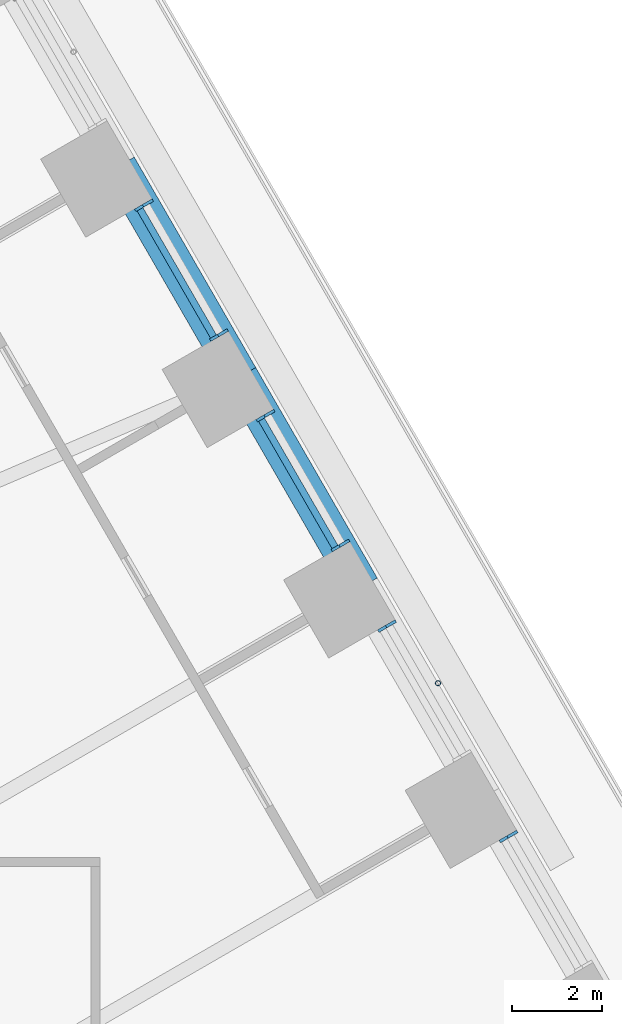
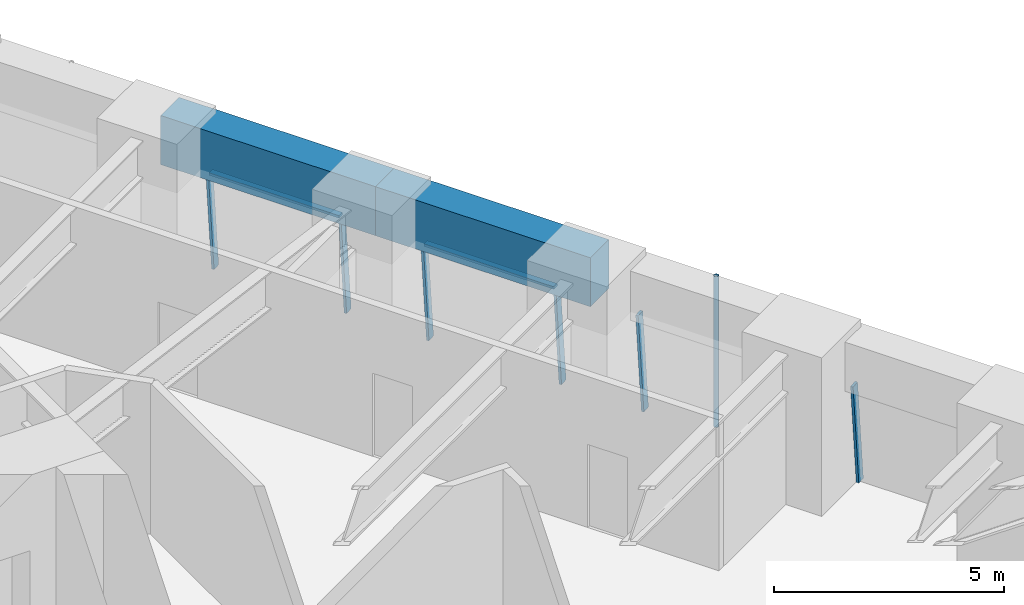
# One storey, part 13 of 24: 9 members, 2 beams, 4 elements without a shape of their own.
"""IFC4 building model written with IfcOpenShell, lengths in metres."""

from ifc_helpers import new_model, si_unit, direction, frame, origin, origin_2d, place, context, subcontext, project, spatial, rectangle, hollow_circle, extrude, material, material_profile, profile_set, type_object, element, aggregate, save


model = new_model("IFC4")

# Units and contexts
model_context = context("Model", 3, precision=1e-05, world=origin(), true_north=direction((0.0, 1.0)))
body_context = subcontext(model_context, "Body", "Model", "MODEL_VIEW")
ifc_project = project(units=[si_unit("LENGTHUNIT", "METRE"), si_unit("AREAUNIT", "SQUARE_METRE"), si_unit("VOLUMEUNIT", "CUBIC_METRE"), si_unit("PLANEANGLEUNIT", "RADIAN"), si_unit("MASSUNIT", "GRAM", prefix="KILO")], contexts=[model_context])

# Site, building, storey
site_placement = place(None, origin())
site = spatial("IfcSite", under=ifc_project, at=site_placement, CompositionType="ELEMENT")
building_placement = place(site_placement, origin())
building = spatial("IfcBuilding", under=site, at=building_placement, Name="Tarfa Lantern Tower", CompositionType="ELEMENT")
storey_placement = place(building_placement, frame((0.0, 0.0, 65.5)))
storey = spatial("IfcBuildingStorey", under=building, at=storey_placement, Name="L14", CompositionType="ELEMENT", Elevation=65.5)

# Curtain wall, member
ifc_material_1 = material(Name="Aluminium framed curtain wall", Category="aluminium")
curtain_wall_type = type_object("IfcCurtainWallType", Name="CW1 CANTED GLAZING LOW ZONE 2700", PredefinedType="USERDEFINED", material=ifc_material_1)
curtain_wall_1_placement = place(storey_placement, origin())
curtain_wall_1 = element("IfcCurtainWall", 1, at=curtain_wall_1_placement, inside=storey, type_object=curtain_wall_type, Name="CW1 NE L14", ObjectType="CURTAIN WALL", PredefinedType="USERDEFINED")
ifc_material_2 = material(Name="Aluminium mullion", Category="aluminium")
ifc_material_profile_1 = material_profile(ifc_material_2, rectangle(XDim=0.06494140625, YDim=0.199951171875, at=origin_2d()), Name="AL MULLION 65x200")
ifc_profile_set_1 = profile_set([ifc_material_profile_1], Name="Aluminium mullion")
member_type_1 = type_object("IfcMemberType", Name="CWM1 MULLION 65x200", PredefinedType="MULLION", material=ifc_profile_set_1)
member_1_placement = place(storey_placement, frame((35.26318359375, 6.722412109375, 0.0), z_axis=(-0.07986442134, -0.046099868913, 0.99573916077), x_axis=(0.499919672301, -0.866071776036, 0.0)))
member_1 = element("IfcMember", 2, at=member_1_placement, type_object=member_type_1, Name="CW1 mullion 2", PredefinedType="MULLION", context=body_context, shape_type="SweptSolid", body=[
    extrude(rectangle(XDim=0.06494140625, YDim=0.199951171875, at=origin_2d()), origin(), (0.0, 0.0, 1.0), 2.71142578125),
])
aggregate(curtain_wall_1, [member_1])

curtain_wall_2_placement = place(storey_placement, origin())
curtain_wall_2 = element("IfcCurtainWall", 3, at=curtain_wall_2_placement, inside=storey, type_object=curtain_wall_type, Name="CW1 NE L14", ObjectType="CURTAIN WALL", PredefinedType="USERDEFINED")
member_2_placement = place(storey_placement, frame((32.56884765625, 11.38916015625, 0.0), z_axis=(-0.07986442134, -0.046099868913, 0.99573916077), x_axis=(0.499919672301, -0.866071776036, 0.0)))
member_2 = element("IfcMember", 4, at=member_2_placement, type_object=member_type_1, Name="CW1 mullion 2", PredefinedType="MULLION", context=body_context, shape_type="SweptSolid", body=[
    extrude(rectangle(XDim=0.06494140625, YDim=0.199951171875, at=origin_2d()), origin(), (0.0, 0.0, 1.0), 2.71142578125),
])
aggregate(curtain_wall_2, [member_2])

# Curtain wall, members
curtain_wall_3_placement = place(storey_placement, origin())
curtain_wall_3 = element("IfcCurtainWall", 5, at=curtain_wall_3_placement, inside=storey, type_object=curtain_wall_type, Name="CW1 NE L14", ObjectType="CURTAIN WALL", PredefinedType="USERDEFINED")
member_3_placement = place(storey_placement, frame((31.536376953125, 13.177490234375, 0.0), z_axis=(-0.07986442134, -0.046099868913, 0.99573916077), x_axis=(0.499919672301, -0.866071776036, 0.0)))
member_3 = element("IfcMember", 6, at=member_3_placement, type_object=member_type_1, Name="CW1 mullion 1", PredefinedType="MULLION", context=body_context, shape_type="SweptSolid", body=[
    extrude(rectangle(XDim=0.06494140625, YDim=0.199951171875, at=origin_2d()), origin(), (0.0, 0.0, 1.0), 2.71142578125),
])
member_4_placement = place(storey_placement, frame((29.87451171875, 16.055908203125, 0.0), z_axis=(-0.07986442134, -0.046099868913, 0.99573916077), x_axis=(0.499919672301, -0.866071776036, 0.0)))
member_4 = element("IfcMember", 7, at=member_4_placement, type_object=member_type_1, Name="CW1 mullion 2", PredefinedType="MULLION", context=body_context, shape_type="SweptSolid", body=[
    extrude(rectangle(XDim=0.06494140625, YDim=0.199951171875, at=origin_2d()), origin(), (0.0, 0.0, 1.0), 2.71142578125),
])

curtain_wall_4_placement = place(storey_placement, origin())
curtain_wall_4 = element("IfcCurtainWall", 8, at=curtain_wall_4_placement, inside=storey, type_object=curtain_wall_type, Name="CW1 NE L14", ObjectType="CURTAIN WALL", PredefinedType="USERDEFINED")
member_5_placement = place(storey_placement, frame((28.842041015625, 17.84423828125, 0.0), z_axis=(-0.07986442134, -0.046099868913, 0.99573916077), x_axis=(0.499919672301, -0.866071776036, 0.0)))
member_5 = element("IfcMember", 9, at=member_5_placement, type_object=member_type_1, Name="CW1 mullion 1", PredefinedType="MULLION", context=body_context, shape_type="SweptSolid", body=[
    extrude(rectangle(XDim=0.06494140625, YDim=0.199951171875, at=origin_2d()), origin(), (0.0, 0.0, 1.0), 2.71142578125),
])
member_6_placement = place(storey_placement, frame((27.18017578125, 20.722412109375, 0.0), z_axis=(-0.07986442134, -0.046099868913, 0.99573916077), x_axis=(0.499919672301, -0.866071776036, 0.0)))
member_6 = element("IfcMember", 10, at=member_6_placement, type_object=member_type_1, Name="CW1 mullion 2", PredefinedType="MULLION", context=body_context, shape_type="SweptSolid", body=[
    extrude(rectangle(XDim=0.06494140625, YDim=0.199951171875, at=origin_2d()), origin(), (0.0, 0.0, 1.0), 2.71142578125),
])

# Member
ifc_material_3 = material(Name="Aluminium transom", Category="aluminium")
ifc_material_profile_2 = material_profile(ifc_material_3, rectangle(XDim=0.14990234375, YDim=0.06494140625, at=origin_2d()), Name="AL TRANSOM 150x65")
ifc_profile_set_2 = profile_set([ifc_material_profile_2], Name="Aluminium transom")
member_type_2 = type_object("IfcMemberType", Name="CWT1 TRANSOM 150x65", PredefinedType="USERDEFINED", material=ifc_profile_set_2)
member_7_placement = place(storey_placement, frame((31.30615234375, 13.082275390625, 2.66748046875), z_axis=(-0.500022939057, 0.866012159509, 0.0), x_axis=(-0.866012159509, -0.500022939057, 0.0)))
member_7 = element("IfcMember", 11, at=member_7_placement, type_object=member_type_2, Name="CW1 transom 1.2", ObjectType="TRANSOM", PredefinedType="USERDEFINED", context=body_context, shape_type="SweptSolid", body=[
    extrude(rectangle(XDim=0.14990234375, YDim=0.06494140625, at=origin_2d()), origin(), (0.0, 0.0, 1.0), 3.258544921875),
])

aggregate(curtain_wall_3, [member_3, member_4, member_7])

member_8_placement = place(storey_placement, frame((28.61181640625, 17.748779296875, 2.66748046875), z_axis=(-0.499966746847, 0.86604460165, 0.0), x_axis=(-0.86604460165, -0.499966746847, 0.0)))
member_8 = element("IfcMember", 12, at=member_8_placement, type_object=member_type_2, Name="CW1 transom 1.2", ObjectType="TRANSOM", PredefinedType="USERDEFINED", context=body_context, shape_type="SweptSolid", body=[
    extrude(rectangle(XDim=0.14990234375, YDim=0.06494140625, at=origin_2d()), origin(), (0.0, 0.0, 1.0), 3.258544921875),
])

aggregate(curtain_wall_4, [member_5, member_6, member_8])

# Beams
ifc_material_4 = material(Name="Concrete C80/95", Category="concrete")
ifc_material_profile_3 = material_profile(ifc_material_4, rectangle(XDim=0.800048828125, YDim=1.300048828125, at=origin_2d()), Name="RC 800x1300")
ifc_profile_set_3 = profile_set([ifc_material_profile_3], Name="Concrete C80/95")
beam_type = type_object("IfcBeamType", Name="EB1 RC 800x1300", PredefinedType="SPANDREL", material=ifc_profile_set_3)
beam_1_placement = place(storey_placement, frame((31.896728515625, 12.193359375, 3.35009765625), z_axis=(-0.499998287579, 0.866026392449, 0.0), x_axis=(-0.866026392449, -0.499998287579, 0.0)))
element("IfcBeam", 13, at=beam_1_placement, inside=storey, type_object=beam_type, Name="Edge beam NE2", PredefinedType="SPANDREL", context=body_context, shape_type="SweptSolid", body=[
    extrude(rectangle(XDim=0.800048828125, YDim=1.300048828125, at=origin_2d()), origin(), (0.0, 0.0, 1.0), 5.388671875),
])
beam_2_placement = place(storey_placement, frame((29.202392578125, 16.860107421875, 3.35009765625), z_axis=(-0.500017906299, 0.866015065331, 0.0), x_axis=(-0.866015065331, -0.500017906299, 0.0)))
element("IfcBeam", 14, at=beam_2_placement, inside=storey, type_object=beam_type, Name="Edge beam NE3", PredefinedType="SPANDREL", context=body_context, shape_type="SweptSolid", body=[
    extrude(rectangle(XDim=0.800048828125, YDim=1.300048828125, at=origin_2d()), origin(), (0.0, 0.0, 1.0), 5.388427734375),
])

# Member
ifc_material_5 = material(Name="Steel S355", Category="steel")
ifc_material_profile_4 = material_profile(ifc_material_5, hollow_circle(Radius=0.05712890625, WallThickness=0.00634765625, at=origin_2d()), Name="CHS114.3x6.3")
ifc_profile_set_4 = profile_set([ifc_material_profile_4], Name="Steel S355")
member_type_3 = type_object("IfcMemberType", Name="TR1 GREEN WALL TRELLIS CHS114.3x6.3", PredefinedType="USERDEFINED", material=ifc_profile_set_4)
member_9_placement = place(storey_placement, frame((33.59033203125, 10.06005859375, 0.0), z_axis=(0.0, 0.0, 1.0), x_axis=(1.0, 0.0, 0.0)))
element("IfcMember", 15, at=member_9_placement, inside=storey, type_object=member_type_3, Name="Trellis post NE 1", ObjectType="TRELLIS", PredefinedType="USERDEFINED", context=body_context, shape_type="SweptSolid", body=[
    extrude(hollow_circle(Radius=0.05712890625, WallThickness=0.00634765625, at=origin_2d()), origin(), (0.0, 0.0, 1.0), 4.0),
])

save(model, "model.ifc")
